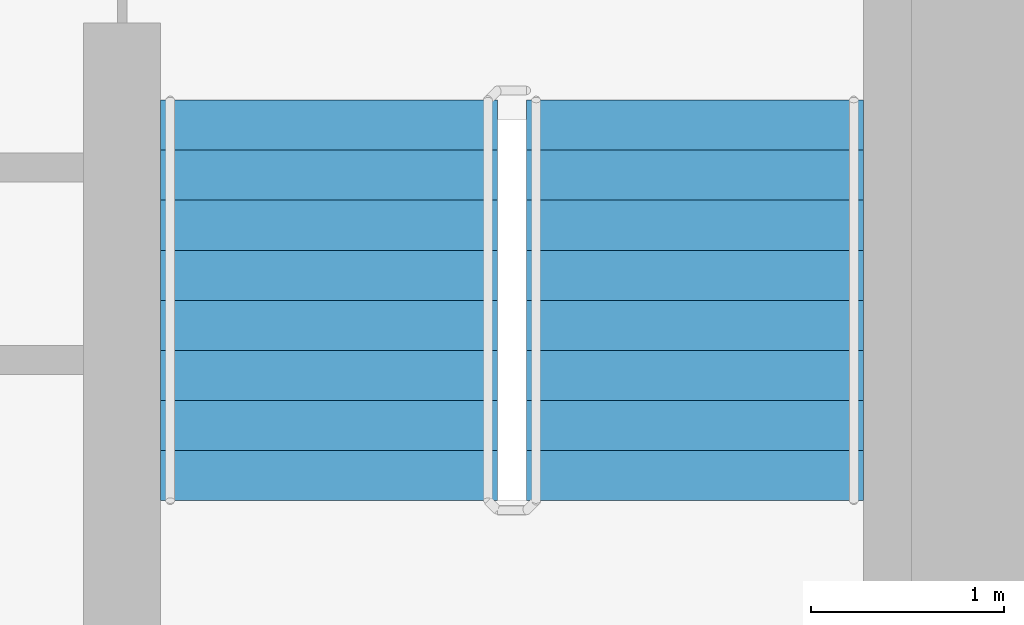
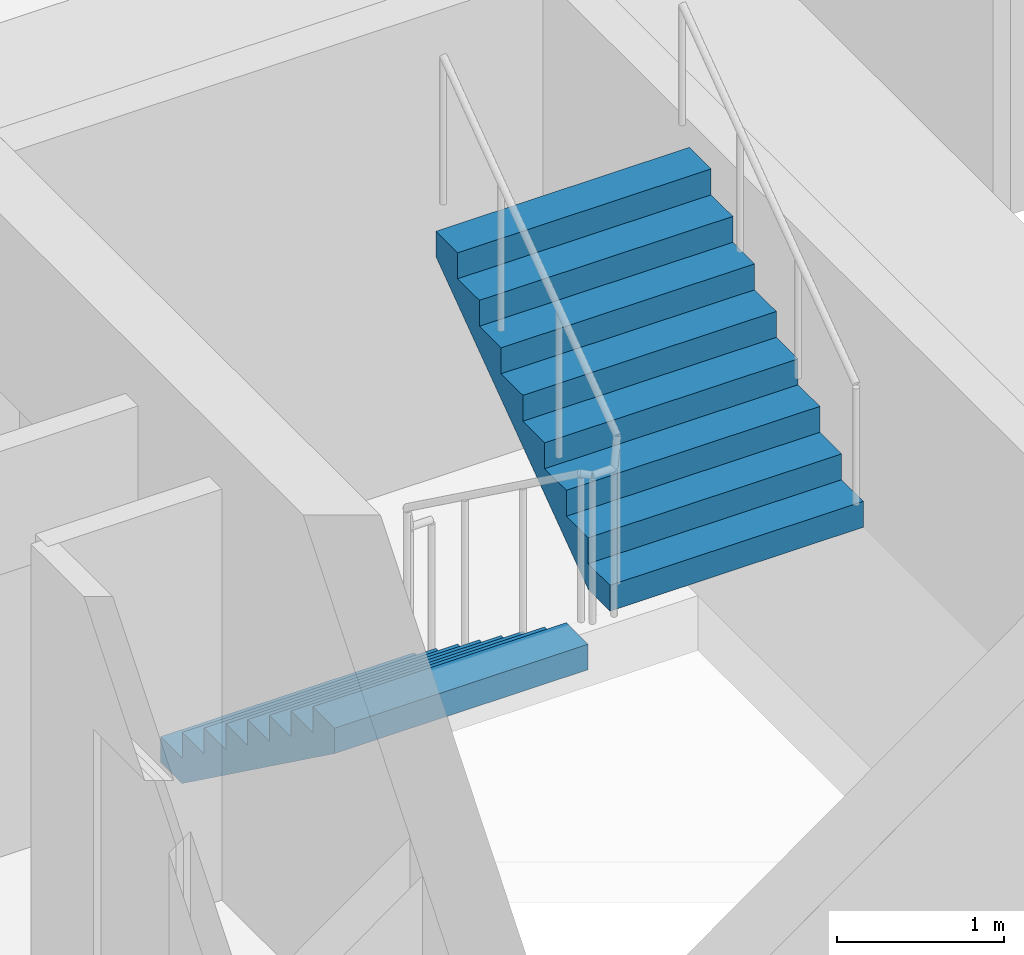
# One storey, part 17 of 21: 2 stair flights, 1 element without a shape of its own.
"""IFC4 building model written with IfcOpenShell, lengths in metres."""

from ifc_helpers import new_model, si_unit, direction, frame, origin, place, context, subcontext, project, spatial, faceted_brep, material, type_object, element, aggregate, save


model = new_model("IFC4")

# Units and contexts
model_context = context("Model", 3, precision=1e-05, world=origin(), true_north=direction((0.0, 1.0)))
body_context = subcontext(model_context, "Body", "Model", "MODEL_VIEW")
ifc_project = project(units=[si_unit("LENGTHUNIT", "METRE"), si_unit("AREAUNIT", "SQUARE_METRE"), si_unit("VOLUMEUNIT", "CUBIC_METRE"), si_unit("PLANEANGLEUNIT", "RADIAN"), si_unit("MASSUNIT", "GRAM", prefix="KILO")], contexts=[model_context])

# Site, building, storey
site_placement = place(None, origin())
site = spatial("IfcSite", under=ifc_project, at=site_placement, CompositionType="ELEMENT")
building_placement = place(site_placement, origin())
building = spatial("IfcBuilding", under=site, at=building_placement, Name="Ipe Terrace Towers", CompositionType="ELEMENT")
storey_placement = place(building_placement, frame((0.0, 0.0, 114.0)))
storey = spatial("IfcBuildingStorey", under=building, at=storey_placement, Name="L31", CompositionType="ELEMENT", Elevation=114.0)

# Stair, stair flights
ifc_material_1 = material(Name="Concrete C30/37", Category="concrete")
stair_type = type_object("IfcStairType", Name="Protected exit stair", PredefinedType="HALF_TURN_STAIR", material=ifc_material_1)
stair_placement = place(storey_placement, origin())
stair = element("IfcStair", 1, at=stair_placement, inside=storey, type_object=stair_type, Name="L31 Exit stair T2-C2", PredefinedType="HALF_TURN_STAIR")
ifc_material_2 = material(Name="Concrete C30/37", Category="concrete")
stair_flight_type = type_object("IfcStairFlightType", Name="Exit stair flight 1750", PredefinedType="STRAIGHT", material=ifc_material_2)
stair_flight_1_placement = place(storey_placement, frame((38.77490234375, -9.699951171875, 0.0), z_axis=(0.0, 0.0, 1.0), x_axis=(0.0, -1.0, 0.0)))
stair_flight_1 = element("IfcStairFlight", 2, at=stair_flight_1_placement, type_object=stair_flight_type, Name="T2-ST2 flight 1", NumberOfRisers=9, NumberOfTreads=8, PredefinedType="STRAIGHT", RiserHeight=0.188888889, TreadLength=0.26, context=body_context, shape_type="Brep", body=[
    faceted_brep([(0.255126953125, -0.875, 0.0), (2.080078125, -0.875, 1.325927734375), (2.080078125, -0.875, 1.51123046875), (1.820068359375, -0.875, 1.51123046875), (1.820068359375, -0.875, 1.322265625), (1.56005859375, -0.875, 1.322265625), (1.56005859375, -0.875, 1.13330078125), (1.300048828125, -0.875, 1.13330078125), (1.300048828125, -0.875, 0.9443359375), (1.0400390625, -0.875, 0.9443359375), (1.0400390625, -0.875, 0.755615234375), (0.780029296875, -0.875, 0.755615234375), (0.780029296875, -0.875, 0.566650390625), (0.52001953125, -0.875, 0.566650390625), (0.52001953125, -0.875, 0.377685546875), (0.260009765625, -0.875, 0.377685546875), (0.260009765625, -0.875, 0.18896484375), (0.0, -0.875, 0.18896484375), (0.0, -0.875, 0.0), (0.0, 0.875, 0.0), (0.0, 0.875, 0.18896484375), (0.260009765625, 0.875, 0.18896484375), (0.260009765625, 0.875, 0.377685546875), (0.52001953125, 0.875, 0.377685546875), (0.52001953125, 0.875, 0.566650390625), (0.780029296875, 0.875, 0.566650390625), (0.780029296875, 0.875, 0.755615234375), (1.0400390625, 0.875, 0.755615234375), (1.0400390625, 0.875, 0.9443359375), (1.300048828125, 0.875, 0.9443359375), (1.300048828125, 0.875, 1.13330078125), (1.56005859375, 0.875, 1.13330078125), (1.56005859375, 0.875, 1.322265625), (1.820068359375, 0.875, 1.322265625), (1.820068359375, 0.875, 1.51123046875), (2.080078125, 0.875, 1.51123046875), (2.080078125, 0.875, 1.325927734375), (0.255126953125, 0.875, 0.0), (0.0, -0.300048828125, 0.18896484375), (0.0, -0.1201171875, 0.18896484375), (0.0, -0.06005859375, 0.18896484375), (0.0, -0.030029296875, 0.18896484375), (0.0, -0.010009765625, 0.18896484375), (0.0, 0.0, 0.18896484375), (0.0, 0.010009765625, 0.18896484375), (0.0, 0.030029296875, 0.18896484375), (0.0, 0.06005859375, 0.18896484375), (0.0, 0.1201171875, 0.18896484375), (0.0, 0.300048828125, 0.18896484375), (0.0, 0.300048828125, 0.0), (0.0, 0.1201171875, 0.0), (0.0, 0.06005859375, 0.0), (0.0, 0.030029296875, 0.0), (0.0, 0.010009765625, 0.0), (0.0, 0.0, 0.0), (0.0, -0.010009765625, 0.0), (0.0, -0.030029296875, 0.0), (0.0, -0.06005859375, 0.0), (0.0, -0.1201171875, 0.0), (0.0, -0.300048828125, 0.0), (0.260009765625, -0.300048828125, 0.18896484375), (0.260009765625, -0.1201171875, 0.18896484375), (0.260009765625, -0.06005859375, 0.18896484375), (0.260009765625, -0.030029296875, 0.18896484375), (0.260009765625, -0.010009765625, 0.18896484375), (0.260009765625, 0.0, 0.18896484375), (0.260009765625, 0.010009765625, 0.18896484375), (0.260009765625, 0.030029296875, 0.18896484375), (0.260009765625, 0.06005859375, 0.18896484375), (0.260009765625, 0.1201171875, 0.18896484375), (0.260009765625, 0.300048828125, 0.18896484375), (0.260009765625, -0.300048828125, 0.377685546875), (0.260009765625, -0.1201171875, 0.377685546875), (0.260009765625, -0.06005859375, 0.377685546875), (0.260009765625, -0.030029296875, 0.377685546875), (0.260009765625, -0.010009765625, 0.377685546875), (0.260009765625, 0.0, 0.377685546875), (0.260009765625, 0.010009765625, 0.377685546875), (0.260009765625, 0.030029296875, 0.377685546875), (0.260009765625, 0.06005859375, 0.377685546875), (0.260009765625, 0.1201171875, 0.377685546875), (0.260009765625, 0.300048828125, 0.377685546875), (0.52001953125, -0.300048828125, 0.377685546875), (0.52001953125, -0.1201171875, 0.377685546875), (0.52001953125, -0.06005859375, 0.377685546875), (0.52001953125, -0.030029296875, 0.377685546875), (0.52001953125, -0.010009765625, 0.377685546875), (0.52001953125, 0.0, 0.377685546875), (0.52001953125, 0.010009765625, 0.377685546875), (0.52001953125, 0.030029296875, 0.377685546875), (0.52001953125, 0.06005859375, 0.377685546875), (0.52001953125, 0.1201171875, 0.377685546875), (0.52001953125, 0.300048828125, 0.377685546875), (0.52001953125, -0.300048828125, 0.566650390625), (0.52001953125, -0.1201171875, 0.566650390625), (0.52001953125, -0.06005859375, 0.566650390625), (0.52001953125, -0.030029296875, 0.566650390625), (0.52001953125, -0.010009765625, 0.566650390625), (0.52001953125, 0.0, 0.566650390625), (0.52001953125, 0.010009765625, 0.566650390625), (0.52001953125, 0.030029296875, 0.566650390625), (0.52001953125, 0.06005859375, 0.566650390625), (0.52001953125, 0.1201171875, 0.566650390625), (0.52001953125, 0.300048828125, 0.566650390625), (0.780029296875, -0.300048828125, 0.566650390625), (0.780029296875, -0.1201171875, 0.566650390625), (0.780029296875, -0.06005859375, 0.566650390625), (0.780029296875, -0.030029296875, 0.566650390625), (0.780029296875, -0.010009765625, 0.566650390625), (0.780029296875, 0.0, 0.566650390625), (0.780029296875, 0.010009765625, 0.566650390625), (0.780029296875, 0.030029296875, 0.566650390625), (0.780029296875, 0.06005859375, 0.566650390625), (0.780029296875, 0.1201171875, 0.566650390625), (0.780029296875, 0.300048828125, 0.566650390625), (0.780029296875, -0.300048828125, 0.755615234375), (0.780029296875, -0.1201171875, 0.755615234375), (0.780029296875, -0.06005859375, 0.755615234375), (0.780029296875, -0.030029296875, 0.755615234375), (0.780029296875, -0.010009765625, 0.755615234375), (0.780029296875, 0.0, 0.755615234375), (0.780029296875, 0.010009765625, 0.755615234375), (0.780029296875, 0.030029296875, 0.755615234375), (0.780029296875, 0.06005859375, 0.755615234375), (0.780029296875, 0.1201171875, 0.755615234375), (0.780029296875, 0.300048828125, 0.755615234375), (1.0400390625, -0.300048828125, 0.755615234375), (1.0400390625, -0.1201171875, 0.755615234375), (1.0400390625, -0.06005859375, 0.755615234375), (1.0400390625, -0.030029296875, 0.755615234375), (1.0400390625, -0.010009765625, 0.755615234375), (1.0400390625, 0.0, 0.755615234375), (1.0400390625, 0.010009765625, 0.755615234375), (1.0400390625, 0.030029296875, 0.755615234375), (1.0400390625, 0.06005859375, 0.755615234375), (1.0400390625, 0.1201171875, 0.755615234375), (1.0400390625, 0.300048828125, 0.755615234375), (1.0400390625, -0.300048828125, 0.9443359375), (1.0400390625, -0.1201171875, 0.9443359375), (1.0400390625, -0.06005859375, 0.9443359375), (1.0400390625, -0.030029296875, 0.9443359375), (1.0400390625, -0.010009765625, 0.9443359375), (1.0400390625, 0.0, 0.9443359375), (1.0400390625, 0.010009765625, 0.9443359375), (1.0400390625, 0.030029296875, 0.9443359375), (1.0400390625, 0.06005859375, 0.9443359375), (1.0400390625, 0.1201171875, 0.9443359375), (1.0400390625, 0.300048828125, 0.9443359375), (1.300048828125, -0.300048828125, 0.9443359375), (1.300048828125, -0.1201171875, 0.9443359375), (1.300048828125, -0.06005859375, 0.9443359375), (1.300048828125, -0.030029296875, 0.9443359375), (1.300048828125, -0.010009765625, 0.9443359375), (1.300048828125, 0.0, 0.9443359375), (1.300048828125, 0.010009765625, 0.9443359375), (1.300048828125, 0.030029296875, 0.9443359375), (1.300048828125, 0.06005859375, 0.9443359375), (1.300048828125, 0.1201171875, 0.9443359375), (1.300048828125, 0.300048828125, 0.9443359375), (1.300048828125, -0.300048828125, 1.13330078125), (1.300048828125, -0.1201171875, 1.13330078125), (1.300048828125, -0.06005859375, 1.13330078125), (1.300048828125, -0.030029296875, 1.13330078125), (1.300048828125, -0.010009765625, 1.13330078125), (1.300048828125, 0.0, 1.13330078125), (1.300048828125, 0.010009765625, 1.13330078125), (1.300048828125, 0.030029296875, 1.13330078125), (1.300048828125, 0.06005859375, 1.13330078125), (1.300048828125, 0.1201171875, 1.13330078125), (1.300048828125, 0.300048828125, 1.13330078125), (1.56005859375, -0.300048828125, 1.13330078125), (1.56005859375, -0.1201171875, 1.13330078125), (1.56005859375, -0.06005859375, 1.13330078125), (1.56005859375, -0.030029296875, 1.13330078125), (1.56005859375, -0.010009765625, 1.13330078125), (1.56005859375, 0.0, 1.13330078125), (1.56005859375, 0.010009765625, 1.13330078125), (1.56005859375, 0.030029296875, 1.13330078125), (1.56005859375, 0.06005859375, 1.13330078125), (1.56005859375, 0.1201171875, 1.13330078125), (1.56005859375, 0.300048828125, 1.13330078125), (1.56005859375, -0.300048828125, 1.322265625), (1.56005859375, -0.1201171875, 1.322265625), (1.56005859375, -0.06005859375, 1.322265625), (1.56005859375, -0.030029296875, 1.322265625), (1.56005859375, -0.010009765625, 1.322265625), (1.56005859375, 0.0, 1.322265625), (1.56005859375, 0.010009765625, 1.322265625), (1.56005859375, 0.030029296875, 1.322265625), (1.56005859375, 0.06005859375, 1.322265625), (1.56005859375, 0.1201171875, 1.322265625), (1.56005859375, 0.300048828125, 1.322265625), (1.820068359375, -0.300048828125, 1.322265625), (1.820068359375, -0.1201171875, 1.322265625), (1.820068359375, -0.06005859375, 1.322265625), (1.820068359375, -0.030029296875, 1.322265625), (1.820068359375, -0.010009765625, 1.322265625), (1.820068359375, 0.0, 1.322265625), (1.820068359375, 0.010009765625, 1.322265625), (1.820068359375, 0.030029296875, 1.322265625), (1.820068359375, 0.06005859375, 1.322265625), (1.820068359375, 0.1201171875, 1.322265625), (1.820068359375, 0.300048828125, 1.322265625), (1.820068359375, -0.300048828125, 1.51123046875), (1.820068359375, -0.1201171875, 1.51123046875), (1.820068359375, -0.06005859375, 1.51123046875), (1.820068359375, -0.030029296875, 1.51123046875), (1.820068359375, -0.010009765625, 1.51123046875), (1.820068359375, 0.0, 1.51123046875), (1.820068359375, 0.010009765625, 1.51123046875), (1.820068359375, 0.030029296875, 1.51123046875), (1.820068359375, 0.06005859375, 1.51123046875), (1.820068359375, 0.1201171875, 1.51123046875), (1.820068359375, 0.300048828125, 1.51123046875), (2.080078125, -0.300048828125, 1.51123046875), (2.080078125, -0.1201171875, 1.51123046875), (2.080078125, -0.06005859375, 1.51123046875), (2.080078125, -0.030029296875, 1.51123046875), (2.080078125, -0.010009765625, 1.51123046875), (2.080078125, 0.0, 1.51123046875), (2.080078125, 0.010009765625, 1.51123046875), (2.080078125, 0.030029296875, 1.51123046875), (2.080078125, 0.06005859375, 1.51123046875), (2.080078125, 0.1201171875, 1.51123046875), (2.080078125, 0.300048828125, 1.51123046875), (2.080078125, -0.300048828125, 1.325927734375), (2.080078125, -0.1201171875, 1.325927734375), (2.080078125, -0.06005859375, 1.325927734375), (2.080078125, -0.030029296875, 1.325927734375), (2.080078125, -0.010009765625, 1.325927734375), (2.080078125, 0.0, 1.325927734375), (2.080078125, 0.010009765625, 1.325927734375), (2.080078125, 0.030029296875, 1.325927734375), (2.080078125, 0.06005859375, 1.325927734375), (2.080078125, 0.1201171875, 1.325927734375), (2.080078125, 0.300048828125, 1.325927734375), (0.255126953125, -0.300048828125, 0.0), (0.255126953125, -0.1201171875, 0.0), (0.255126953125, -0.06005859375, 0.0), (0.255126953125, -0.030029296875, 0.0), (0.255126953125, -0.010009765625, 0.0), (0.255126953125, 0.0, 0.0), (0.255126953125, 0.010009765625, 0.0), (0.255126953125, 0.030029296875, 0.0), (0.255126953125, 0.06005859375, 0.0), (0.255126953125, 0.1201171875, 0.0), (0.255126953125, 0.300048828125, 0.0)], [[[0, 1, 2, 3, 4, 5, 6, 7, 8, 9, 10, 11, 12, 13, 14, 15, 16, 17, 18]], [[19, 20, 21, 22, 23, 24, 25, 26, 27, 28, 29, 30, 31, 32, 33, 34, 35, 36, 37]], [[17, 38, 39, 40, 41, 42, 43, 44, 45, 46, 47, 48, 20, 19, 49, 50, 51, 52, 53, 54, 55, 56, 57, 58, 59, 18]], [[16, 60, 61, 62, 63, 64, 65, 66, 67, 68, 69, 70, 21, 20, 48, 47, 46, 45, 44, 43, 42, 41, 40, 39, 38, 17]], [[15, 71, 72, 73, 74, 75, 76, 77, 78, 79, 80, 81, 22, 21, 70, 69, 68, 67, 66, 65, 64, 63, 62, 61, 60, 16]], [[14, 82, 83, 84, 85, 86, 87, 88, 89, 90, 91, 92, 23, 22, 81, 80, 79, 78, 77, 76, 75, 74, 73, 72, 71, 15]], [[13, 93, 94, 95, 96, 97, 98, 99, 100, 101, 102, 103, 24, 23, 92, 91, 90, 89, 88, 87, 86, 85, 84, 83, 82, 14]], [[12, 104, 105, 106, 107, 108, 109, 110, 111, 112, 113, 114, 25, 24, 103, 102, 101, 100, 99, 98, 97, 96, 95, 94, 93, 13]], [[11, 115, 116, 117, 118, 119, 120, 121, 122, 123, 124, 125, 26, 25, 114, 113, 112, 111, 110, 109, 108, 107, 106, 105, 104, 12]], [[10, 126, 127, 128, 129, 130, 131, 132, 133, 134, 135, 136, 27, 26, 125, 124, 123, 122, 121, 120, 119, 118, 117, 116, 115, 11]], [[9, 137, 138, 139, 140, 141, 142, 143, 144, 145, 146, 147, 28, 27, 136, 135, 134, 133, 132, 131, 130, 129, 128, 127, 126, 10]], [[8, 148, 149, 150, 151, 152, 153, 154, 155, 156, 157, 158, 29, 28, 147, 146, 145, 144, 143, 142, 141, 140, 139, 138, 137, 9]], [[7, 159, 160, 161, 162, 163, 164, 165, 166, 167, 168, 169, 30, 29, 158, 157, 156, 155, 154, 153, 152, 151, 150, 149, 148, 8]], [[6, 170, 171, 172, 173, 174, 175, 176, 177, 178, 179, 180, 31, 30, 169, 168, 167, 166, 165, 164, 163, 162, 161, 160, 159, 7]], [[5, 181, 182, 183, 184, 185, 186, 187, 188, 189, 190, 191, 32, 31, 180, 179, 178, 177, 176, 175, 174, 173, 172, 171, 170, 6]], [[4, 192, 193, 194, 195, 196, 197, 198, 199, 200, 201, 202, 33, 32, 191, 190, 189, 188, 187, 186, 185, 184, 183, 182, 181, 5]], [[3, 203, 204, 205, 206, 207, 208, 209, 210, 211, 212, 213, 34, 33, 202, 201, 200, 199, 198, 197, 196, 195, 194, 193, 192, 4]], [[2, 214, 215, 216, 217, 218, 219, 220, 221, 222, 223, 224, 35, 34, 213, 212, 211, 210, 209, 208, 207, 206, 205, 204, 203, 3]], [[1, 225, 226, 227, 228, 229, 230, 231, 232, 233, 234, 235, 36, 35, 224, 223, 222, 221, 220, 219, 218, 217, 216, 215, 214, 2]], [[0, 236, 237, 238, 239, 240, 241, 242, 243, 244, 245, 246, 37, 36, 235, 234, 233, 232, 231, 230, 229, 228, 227, 226, 225, 1]], [[18, 59, 58, 57, 56, 55, 54, 53, 52, 51, 50, 49, 19, 37, 246, 245, 244, 243, 242, 241, 240, 239, 238, 237, 236, 0]]]),
])
stair_flight_2_placement = place(storey_placement, frame((40.675048828125, -11.780029296875, 1.699951171875), z_axis=(0.0, 0.0, 1.0), x_axis=(0.0, 1.0, 0.0)))
stair_flight_2 = element("IfcStairFlight", 3, at=stair_flight_2_placement, type_object=stair_flight_type, Name="T2-ST2 flight 2", NumberOfRisers=9, NumberOfTreads=8, PredefinedType="STRAIGHT", RiserHeight=0.188888889, TreadLength=0.26, context=body_context, shape_type="Brep", body=[
    faceted_brep([(0.255126953125, -0.875, 0.0), (2.080078125, -0.875, 1.325927734375), (2.080078125, -0.875, 1.51123046875), (1.820068359375, -0.875, 1.51123046875), (1.820068359375, -0.875, 1.322265625), (1.56005859375, -0.875, 1.322265625), (1.56005859375, -0.875, 1.13330078125), (1.300048828125, -0.875, 1.13330078125), (1.300048828125, -0.875, 0.9443359375), (1.0400390625, -0.875, 0.9443359375), (1.0400390625, -0.875, 0.755615234375), (0.780029296875, -0.875, 0.755615234375), (0.780029296875, -0.875, 0.566650390625), (0.52001953125, -0.875, 0.566650390625), (0.52001953125, -0.875, 0.377685546875), (0.260009765625, -0.875, 0.377685546875), (0.260009765625, -0.875, 0.18896484375), (0.0, -0.875, 0.18896484375), (0.0, -0.875, 0.0), (0.0, 0.875, 0.0), (0.0, 0.875, 0.18896484375), (0.260009765625, 0.875, 0.18896484375), (0.260009765625, 0.875, 0.377685546875), (0.52001953125, 0.875, 0.377685546875), (0.52001953125, 0.875, 0.566650390625), (0.780029296875, 0.875, 0.566650390625), (0.780029296875, 0.875, 0.755615234375), (1.0400390625, 0.875, 0.755615234375), (1.0400390625, 0.875, 0.9443359375), (1.300048828125, 0.875, 0.9443359375), (1.300048828125, 0.875, 1.13330078125), (1.56005859375, 0.875, 1.13330078125), (1.56005859375, 0.875, 1.322265625), (1.820068359375, 0.875, 1.322265625), (1.820068359375, 0.875, 1.51123046875), (2.080078125, 0.875, 1.51123046875), (2.080078125, 0.875, 1.325927734375), (0.255126953125, 0.875, 0.0), (0.0, -0.300048828125, 0.18896484375), (0.0, -0.1201171875, 0.18896484375), (0.0, -0.06005859375, 0.18896484375), (0.0, -0.030029296875, 0.18896484375), (0.0, -0.010009765625, 0.18896484375), (0.0, 0.0, 0.18896484375), (0.0, 0.010009765625, 0.18896484375), (0.0, 0.030029296875, 0.18896484375), (0.0, 0.06005859375, 0.18896484375), (0.0, 0.1201171875, 0.18896484375), (0.0, 0.300048828125, 0.18896484375), (0.0, 0.300048828125, 0.0), (0.0, 0.1201171875, 0.0), (0.0, 0.06005859375, 0.0), (0.0, 0.030029296875, 0.0), (0.0, 0.010009765625, 0.0), (0.0, 0.0, 0.0), (0.0, -0.010009765625, 0.0), (0.0, -0.030029296875, 0.0), (0.0, -0.06005859375, 0.0), (0.0, -0.1201171875, 0.0), (0.0, -0.300048828125, 0.0), (0.260009765625, -0.300048828125, 0.18896484375), (0.260009765625, -0.1201171875, 0.18896484375), (0.260009765625, -0.06005859375, 0.18896484375), (0.260009765625, -0.030029296875, 0.18896484375), (0.260009765625, -0.010009765625, 0.18896484375), (0.260009765625, 0.0, 0.18896484375), (0.260009765625, 0.010009765625, 0.18896484375), (0.260009765625, 0.030029296875, 0.18896484375), (0.260009765625, 0.06005859375, 0.18896484375), (0.260009765625, 0.1201171875, 0.18896484375), (0.260009765625, 0.300048828125, 0.18896484375), (0.260009765625, -0.300048828125, 0.377685546875), (0.260009765625, -0.1201171875, 0.377685546875), (0.260009765625, -0.06005859375, 0.377685546875), (0.260009765625, -0.030029296875, 0.377685546875), (0.260009765625, -0.010009765625, 0.377685546875), (0.260009765625, 0.0, 0.377685546875), (0.260009765625, 0.010009765625, 0.377685546875), (0.260009765625, 0.030029296875, 0.377685546875), (0.260009765625, 0.06005859375, 0.377685546875), (0.260009765625, 0.1201171875, 0.377685546875), (0.260009765625, 0.300048828125, 0.377685546875), (0.52001953125, -0.300048828125, 0.377685546875), (0.52001953125, -0.1201171875, 0.377685546875), (0.52001953125, -0.06005859375, 0.377685546875), (0.52001953125, -0.030029296875, 0.377685546875), (0.52001953125, -0.010009765625, 0.377685546875), (0.52001953125, 0.0, 0.377685546875), (0.52001953125, 0.010009765625, 0.377685546875), (0.52001953125, 0.030029296875, 0.377685546875), (0.52001953125, 0.06005859375, 0.377685546875), (0.52001953125, 0.1201171875, 0.377685546875), (0.52001953125, 0.300048828125, 0.377685546875), (0.52001953125, -0.300048828125, 0.566650390625), (0.52001953125, -0.1201171875, 0.566650390625), (0.52001953125, -0.06005859375, 0.566650390625), (0.52001953125, -0.030029296875, 0.566650390625), (0.52001953125, -0.010009765625, 0.566650390625), (0.52001953125, 0.0, 0.566650390625), (0.52001953125, 0.010009765625, 0.566650390625), (0.52001953125, 0.030029296875, 0.566650390625), (0.52001953125, 0.06005859375, 0.566650390625), (0.52001953125, 0.1201171875, 0.566650390625), (0.52001953125, 0.300048828125, 0.566650390625), (0.780029296875, -0.300048828125, 0.566650390625), (0.780029296875, -0.1201171875, 0.566650390625), (0.780029296875, -0.06005859375, 0.566650390625), (0.780029296875, -0.030029296875, 0.566650390625), (0.780029296875, -0.010009765625, 0.566650390625), (0.780029296875, 0.0, 0.566650390625), (0.780029296875, 0.010009765625, 0.566650390625), (0.780029296875, 0.030029296875, 0.566650390625), (0.780029296875, 0.06005859375, 0.566650390625), (0.780029296875, 0.1201171875, 0.566650390625), (0.780029296875, 0.300048828125, 0.566650390625), (0.780029296875, -0.300048828125, 0.755615234375), (0.780029296875, -0.1201171875, 0.755615234375), (0.780029296875, -0.06005859375, 0.755615234375), (0.780029296875, -0.030029296875, 0.755615234375), (0.780029296875, -0.010009765625, 0.755615234375), (0.780029296875, 0.0, 0.755615234375), (0.780029296875, 0.010009765625, 0.755615234375), (0.780029296875, 0.030029296875, 0.755615234375), (0.780029296875, 0.06005859375, 0.755615234375), (0.780029296875, 0.1201171875, 0.755615234375), (0.780029296875, 0.300048828125, 0.755615234375), (1.0400390625, -0.300048828125, 0.755615234375), (1.0400390625, -0.1201171875, 0.755615234375), (1.0400390625, -0.06005859375, 0.755615234375), (1.0400390625, -0.030029296875, 0.755615234375), (1.0400390625, -0.010009765625, 0.755615234375), (1.0400390625, 0.0, 0.755615234375), (1.0400390625, 0.010009765625, 0.755615234375), (1.0400390625, 0.030029296875, 0.755615234375), (1.0400390625, 0.06005859375, 0.755615234375), (1.0400390625, 0.1201171875, 0.755615234375), (1.0400390625, 0.300048828125, 0.755615234375), (1.0400390625, -0.300048828125, 0.9443359375), (1.0400390625, -0.1201171875, 0.9443359375), (1.0400390625, -0.06005859375, 0.9443359375), (1.0400390625, -0.030029296875, 0.9443359375), (1.0400390625, -0.010009765625, 0.9443359375), (1.0400390625, 0.0, 0.9443359375), (1.0400390625, 0.010009765625, 0.9443359375), (1.0400390625, 0.030029296875, 0.9443359375), (1.0400390625, 0.06005859375, 0.9443359375), (1.0400390625, 0.1201171875, 0.9443359375), (1.0400390625, 0.300048828125, 0.9443359375), (1.300048828125, -0.300048828125, 0.9443359375), (1.300048828125, -0.1201171875, 0.9443359375), (1.300048828125, -0.06005859375, 0.9443359375), (1.300048828125, -0.030029296875, 0.9443359375), (1.300048828125, -0.010009765625, 0.9443359375), (1.300048828125, 0.0, 0.9443359375), (1.300048828125, 0.010009765625, 0.9443359375), (1.300048828125, 0.030029296875, 0.9443359375), (1.300048828125, 0.06005859375, 0.9443359375), (1.300048828125, 0.1201171875, 0.9443359375), (1.300048828125, 0.300048828125, 0.9443359375), (1.300048828125, -0.300048828125, 1.13330078125), (1.300048828125, -0.1201171875, 1.13330078125), (1.300048828125, -0.06005859375, 1.13330078125), (1.300048828125, -0.030029296875, 1.13330078125), (1.300048828125, -0.010009765625, 1.13330078125), (1.300048828125, 0.0, 1.13330078125), (1.300048828125, 0.010009765625, 1.13330078125), (1.300048828125, 0.030029296875, 1.13330078125), (1.300048828125, 0.06005859375, 1.13330078125), (1.300048828125, 0.1201171875, 1.13330078125), (1.300048828125, 0.300048828125, 1.13330078125), (1.56005859375, -0.300048828125, 1.13330078125), (1.56005859375, -0.1201171875, 1.13330078125), (1.56005859375, -0.06005859375, 1.13330078125), (1.56005859375, -0.030029296875, 1.13330078125), (1.56005859375, -0.010009765625, 1.13330078125), (1.56005859375, 0.0, 1.13330078125), (1.56005859375, 0.010009765625, 1.13330078125), (1.56005859375, 0.030029296875, 1.13330078125), (1.56005859375, 0.06005859375, 1.13330078125), (1.56005859375, 0.1201171875, 1.13330078125), (1.56005859375, 0.300048828125, 1.13330078125), (1.56005859375, -0.300048828125, 1.322265625), (1.56005859375, -0.1201171875, 1.322265625), (1.56005859375, -0.06005859375, 1.322265625), (1.56005859375, -0.030029296875, 1.322265625), (1.56005859375, -0.010009765625, 1.322265625), (1.56005859375, 0.0, 1.322265625), (1.56005859375, 0.010009765625, 1.322265625), (1.56005859375, 0.030029296875, 1.322265625), (1.56005859375, 0.06005859375, 1.322265625), (1.56005859375, 0.1201171875, 1.322265625), (1.56005859375, 0.300048828125, 1.322265625), (1.820068359375, -0.300048828125, 1.322265625), (1.820068359375, -0.1201171875, 1.322265625), (1.820068359375, -0.06005859375, 1.322265625), (1.820068359375, -0.030029296875, 1.322265625), (1.820068359375, -0.010009765625, 1.322265625), (1.820068359375, 0.0, 1.322265625), (1.820068359375, 0.010009765625, 1.322265625), (1.820068359375, 0.030029296875, 1.322265625), (1.820068359375, 0.06005859375, 1.322265625), (1.820068359375, 0.1201171875, 1.322265625), (1.820068359375, 0.300048828125, 1.322265625), (1.820068359375, -0.300048828125, 1.51123046875), (1.820068359375, -0.1201171875, 1.51123046875), (1.820068359375, -0.06005859375, 1.51123046875), (1.820068359375, -0.030029296875, 1.51123046875), (1.820068359375, -0.010009765625, 1.51123046875), (1.820068359375, 0.0, 1.51123046875), (1.820068359375, 0.010009765625, 1.51123046875), (1.820068359375, 0.030029296875, 1.51123046875), (1.820068359375, 0.06005859375, 1.51123046875), (1.820068359375, 0.1201171875, 1.51123046875), (1.820068359375, 0.300048828125, 1.51123046875), (2.080078125, -0.300048828125, 1.51123046875), (2.080078125, -0.1201171875, 1.51123046875), (2.080078125, -0.06005859375, 1.51123046875), (2.080078125, -0.030029296875, 1.51123046875), (2.080078125, -0.010009765625, 1.51123046875), (2.080078125, 0.0, 1.51123046875), (2.080078125, 0.010009765625, 1.51123046875), (2.080078125, 0.030029296875, 1.51123046875), (2.080078125, 0.06005859375, 1.51123046875), (2.080078125, 0.1201171875, 1.51123046875), (2.080078125, 0.300048828125, 1.51123046875), (2.080078125, -0.300048828125, 1.325927734375), (2.080078125, -0.1201171875, 1.325927734375), (2.080078125, -0.06005859375, 1.325927734375), (2.080078125, -0.030029296875, 1.325927734375), (2.080078125, -0.010009765625, 1.325927734375), (2.080078125, 0.0, 1.325927734375), (2.080078125, 0.010009765625, 1.325927734375), (2.080078125, 0.030029296875, 1.325927734375), (2.080078125, 0.06005859375, 1.325927734375), (2.080078125, 0.1201171875, 1.325927734375), (2.080078125, 0.300048828125, 1.325927734375), (0.255126953125, -0.300048828125, 0.0), (0.255126953125, -0.1201171875, 0.0), (0.255126953125, -0.06005859375, 0.0), (0.255126953125, -0.030029296875, 0.0), (0.255126953125, -0.010009765625, 0.0), (0.255126953125, 0.0, 0.0), (0.255126953125, 0.010009765625, 0.0), (0.255126953125, 0.030029296875, 0.0), (0.255126953125, 0.06005859375, 0.0), (0.255126953125, 0.1201171875, 0.0), (0.255126953125, 0.300048828125, 0.0)], [[[0, 1, 2, 3, 4, 5, 6, 7, 8, 9, 10, 11, 12, 13, 14, 15, 16, 17, 18]], [[19, 20, 21, 22, 23, 24, 25, 26, 27, 28, 29, 30, 31, 32, 33, 34, 35, 36, 37]], [[17, 38, 39, 40, 41, 42, 43, 44, 45, 46, 47, 48, 20, 19, 49, 50, 51, 52, 53, 54, 55, 56, 57, 58, 59, 18]], [[16, 60, 61, 62, 63, 64, 65, 66, 67, 68, 69, 70, 21, 20, 48, 47, 46, 45, 44, 43, 42, 41, 40, 39, 38, 17]], [[15, 71, 72, 73, 74, 75, 76, 77, 78, 79, 80, 81, 22, 21, 70, 69, 68, 67, 66, 65, 64, 63, 62, 61, 60, 16]], [[14, 82, 83, 84, 85, 86, 87, 88, 89, 90, 91, 92, 23, 22, 81, 80, 79, 78, 77, 76, 75, 74, 73, 72, 71, 15]], [[13, 93, 94, 95, 96, 97, 98, 99, 100, 101, 102, 103, 24, 23, 92, 91, 90, 89, 88, 87, 86, 85, 84, 83, 82, 14]], [[12, 104, 105, 106, 107, 108, 109, 110, 111, 112, 113, 114, 25, 24, 103, 102, 101, 100, 99, 98, 97, 96, 95, 94, 93, 13]], [[11, 115, 116, 117, 118, 119, 120, 121, 122, 123, 124, 125, 26, 25, 114, 113, 112, 111, 110, 109, 108, 107, 106, 105, 104, 12]], [[10, 126, 127, 128, 129, 130, 131, 132, 133, 134, 135, 136, 27, 26, 125, 124, 123, 122, 121, 120, 119, 118, 117, 116, 115, 11]], [[9, 137, 138, 139, 140, 141, 142, 143, 144, 145, 146, 147, 28, 27, 136, 135, 134, 133, 132, 131, 130, 129, 128, 127, 126, 10]], [[8, 148, 149, 150, 151, 152, 153, 154, 155, 156, 157, 158, 29, 28, 147, 146, 145, 144, 143, 142, 141, 140, 139, 138, 137, 9]], [[7, 159, 160, 161, 162, 163, 164, 165, 166, 167, 168, 169, 30, 29, 158, 157, 156, 155, 154, 153, 152, 151, 150, 149, 148, 8]], [[6, 170, 171, 172, 173, 174, 175, 176, 177, 178, 179, 180, 31, 30, 169, 168, 167, 166, 165, 164, 163, 162, 161, 160, 159, 7]], [[5, 181, 182, 183, 184, 185, 186, 187, 188, 189, 190, 191, 32, 31, 180, 179, 178, 177, 176, 175, 174, 173, 172, 171, 170, 6]], [[4, 192, 193, 194, 195, 196, 197, 198, 199, 200, 201, 202, 33, 32, 191, 190, 189, 188, 187, 186, 185, 184, 183, 182, 181, 5]], [[3, 203, 204, 205, 206, 207, 208, 209, 210, 211, 212, 213, 34, 33, 202, 201, 200, 199, 198, 197, 196, 195, 194, 193, 192, 4]], [[2, 214, 215, 216, 217, 218, 219, 220, 221, 222, 223, 224, 35, 34, 213, 212, 211, 210, 209, 208, 207, 206, 205, 204, 203, 3]], [[1, 225, 226, 227, 228, 229, 230, 231, 232, 233, 234, 235, 36, 35, 224, 223, 222, 221, 220, 219, 218, 217, 216, 215, 214, 2]], [[0, 236, 237, 238, 239, 240, 241, 242, 243, 244, 245, 246, 37, 36, 235, 234, 233, 232, 231, 230, 229, 228, 227, 226, 225, 1]], [[18, 59, 58, 57, 56, 55, 54, 53, 52, 51, 50, 49, 19, 37, 246, 245, 244, 243, 242, 241, 240, 239, 238, 237, 236, 0]]]),
])
aggregate(stair, [stair_flight_1, stair_flight_2])

save(model, "model.ifc")
